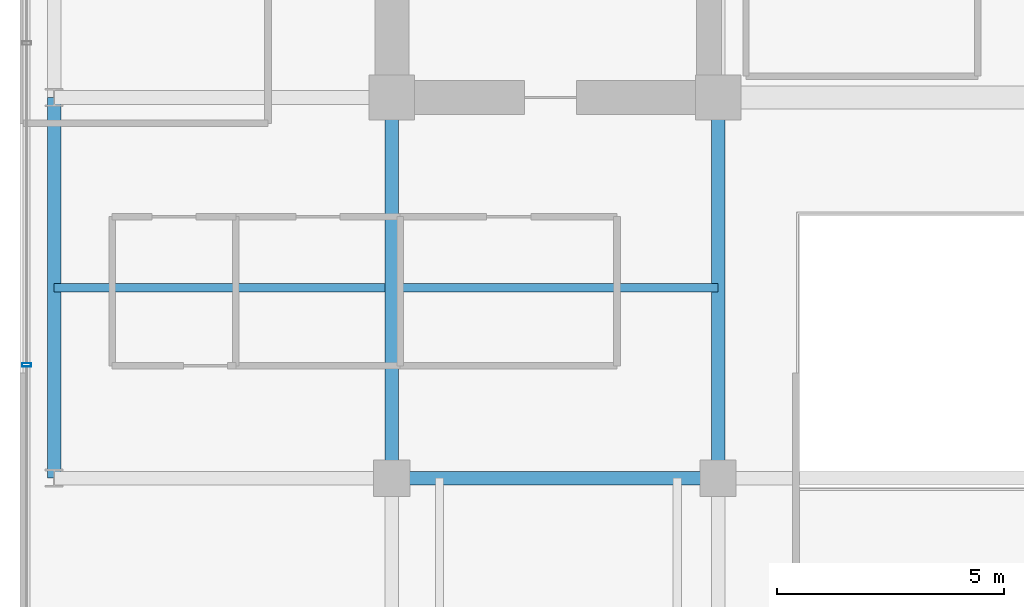
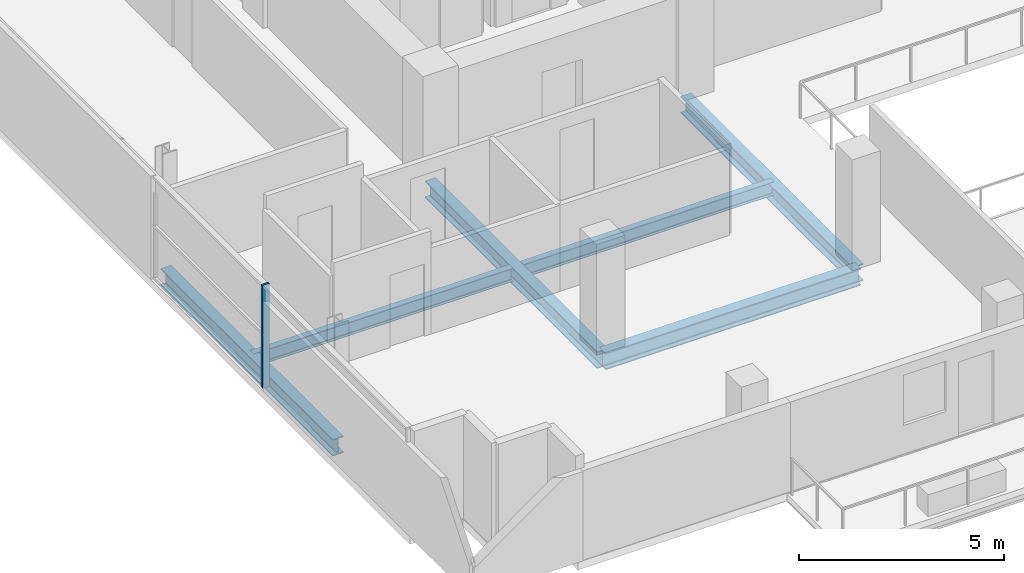
# One storey, part 4 of 21: 6 beams, 1 member, 1 element without a shape of its own.
"""IFC4 building model written with IfcOpenShell, lengths in metres."""

from ifc_helpers import new_model, si_unit, direction, frame, origin, origin_2d, place, context, subcontext, project, spatial, hollow_rectangle, i_section, extrude, source, transform, mapped, material, layer, layer_set, material_profile, profile_set, type_object, element, aggregate, save


model = new_model("IFC4")

# Units and contexts
model_context = context("Model", 3, precision=1e-05, world=origin(), true_north=direction((0.0, 1.0)))
body_context = subcontext(model_context, "Body", "Model", "MODEL_VIEW")
ifc_project = project(units=[si_unit("LENGTHUNIT", "METRE"), si_unit("AREAUNIT", "SQUARE_METRE"), si_unit("VOLUMEUNIT", "CUBIC_METRE"), si_unit("PLANEANGLEUNIT", "RADIAN"), si_unit("MASSUNIT", "GRAM", prefix="KILO")], contexts=[model_context])

# Site, building, storey
site_placement = place(None, origin())
site = spatial("IfcSite", under=ifc_project, at=site_placement, CompositionType="ELEMENT")
building_placement = place(site_placement, origin())
building = spatial("IfcBuilding", under=site, at=building_placement, Name="Zarnakvel Exchange Tower", CompositionType="ELEMENT")
storey_placement = place(building_placement, frame((0.0, 0.0, 182.5)))
storey = spatial("IfcBuildingStorey", under=building, at=storey_placement, Name="L51", CompositionType="ELEMENT", Elevation=182.5)

# Beams
ifc_material_1 = material(Name="Steel S355", Category="steel")
ifc_material_profile_1 = material_profile(ifc_material_1, i_section(OverallWidth=0.179931640625, OverallDepth=0.39990234375, WebThickness=0.008544921875, FlangeThickness=0.013427734375, FilletRadius=0.02099609375, at=origin_2d()))
ifc_profile_set_1 = profile_set([ifc_material_profile_1], Name="Steel S355")
beam_type_1 = type_object("IfcBeamType", Name="B-06", PredefinedType="JOIST", material=ifc_profile_set_1)
beam_1_placement = place(storey_placement, frame((-21.85009765625, -5.39990234375, -0.425048828125), z_axis=(1.0, 0.0, 0.0), x_axis=(0.0, 1.0, 0.0)))
element("IfcBeam", 1, at=beam_1_placement, inside=storey, type_object=beam_type_1, Name="L51 Composite Floor Secondary Joist", PredefinedType="JOIST", context=body_context, shape_type="SweptSolid", body=[
    extrude(i_section(OverallWidth=0.179931640625, OverallDepth=0.39990234375, WebThickness=0.008544921875, FlangeThickness=0.013427734375, FilletRadius=0.02099609375, at=origin_2d()), origin(), (0.0, 0.0, 1.0), 7.300048828125),
])
beam_2_placement = place(storey_placement, frame((-14.25, -5.39990234375, -0.425048828125), z_axis=(1.0, 0.0, 0.0), x_axis=(0.0, 1.0, 0.0)))
element("IfcBeam", 2, at=beam_2_placement, inside=storey, type_object=beam_type_1, Name="L51 Composite Floor Secondary Joist", PredefinedType="JOIST", context=body_context, shape_type="SweptSolid", body=[
    extrude(i_section(OverallWidth=0.179931640625, OverallDepth=0.39990234375, WebThickness=0.008544921875, FlangeThickness=0.013427734375, FilletRadius=0.02099609375, at=origin_2d()), origin(), (0.0, 0.0, 1.0), 7.050048828125),
])
ifc_material_profile_2 = material_profile(ifc_material_1, i_section(OverallWidth=0.300048828125, OverallDepth=0.5, WebThickness=0.014404296875, FlangeThickness=0.028076171875, FilletRadius=0.027099609375, at=origin_2d()))
ifc_profile_set_2 = profile_set([ifc_material_profile_2], Name="Steel S355")
beam_type_2 = type_object("IfcBeamType", Name="G-06", PredefinedType="BEAM", material=ifc_profile_set_2)
beam_3_placement = place(storey_placement, frame((-14.39990234375, -9.60009765625, -0.47509765625), z_axis=(1.0, 0.0, 0.0), x_axis=(0.0, 1.0, 0.0)))
element("IfcBeam", 3, at=beam_3_placement, inside=storey, type_object=beam_type_2, Name="L51 Tower E-W Frame Beam", PredefinedType="BEAM", context=body_context, shape_type="SweptSolid", body=[
    extrude(i_section(OverallWidth=0.300048828125, OverallDepth=0.5, WebThickness=0.014404296875, FlangeThickness=0.028076171875, FilletRadius=0.027099609375, at=origin_2d()), origin(), (0.0, 0.0, 1.0), 7.199951171875),
])
for number, where, z_axis, x_axis, name in (
    (4, (-14.39990234375, -9.60009765625, -0.47509765625), (0.0, 1.0, 0.0), (-1.0, 0.0, 0.0), "L51 Tower N-S Frame Beam"),
    (5, (-7.199951171875, -9.60009765625, -0.47509765625), (0.0, 1.0, 0.0), (-1.0, 0.0, 0.0), "L51 Tower N-S Frame Beam"),
):
    element("IfcBeam", number, at=place(storey_placement, frame(where, z_axis=z_axis, x_axis=x_axis)), inside=storey, type_object=beam_type_2, Name=name, PredefinedType="BEAM", context=body_context, shape_type="SweptSolid", body=[
        extrude(i_section(OverallWidth=0.300048828125, OverallDepth=0.5, WebThickness=0.014404296875, FlangeThickness=0.028076171875, FilletRadius=0.027099609375, at=origin_2d()), origin(), (0.0, 0.0, 1.0), 8.400146484375),
    ])
ifc_material_profile_3 = material_profile(ifc_material_1, i_section(OverallWidth=0.300048828125, OverallDepth=0.5, WebThickness=0.014404296875, FlangeThickness=0.028076171875, FilletRadius=0.027099609375, at=origin_2d()))
ifc_profile_set_3 = profile_set([ifc_material_profile_3], Name="Steel S355")
beam_type_3 = type_object("IfcBeamType", Name="SP-02", PredefinedType="SPANDREL", material=ifc_profile_set_3)
beam_4_placement = place(storey_placement, frame((-21.85009765625, -9.60009765625, -0.47509765625), z_axis=(0.0, 1.0, 0.0), x_axis=(-1.0, 0.0, 0.0)))
element("IfcBeam", 6, at=beam_4_placement, inside=storey, type_object=beam_type_3, Name="L51 Tower N-S Frame Beam", PredefinedType="SPANDREL", context=body_context, shape_type="SweptSolid", body=[
    extrude(i_section(OverallWidth=0.300048828125, OverallDepth=0.5, WebThickness=0.014404296875, FlangeThickness=0.028076171875, FilletRadius=0.027099609375, at=origin_2d()), origin(), (0.0, 0.0, 1.0), 8.400146484375),
])

# Curtain wall, member
ifc_material_2 = material(Name="Architectural Bronze Anodised Aluminium", Category="aluminium")
ifc_layer = layer(ifc_material_2, 0.199951171875)
ifc_layer_set = layer_set([ifc_layer], Name="Architectural Bronze Anodised Aluminium")
curtain_wall_type = type_object("IfcCurtainWallType", Name="CW-04", PredefinedType="NOTDEFINED", material=ifc_layer_set)
curtain_wall_placement = place(storey_placement, origin())
curtain_wall = element("IfcCurtainWall", 7, at=curtain_wall_placement, inside=storey, type_object=curtain_wall_type, Name="L51 Curtain Wall CW-L51-W1 (CW-04)", PredefinedType="NOTDEFINED")
ifc_material_profile_4 = material_profile(ifc_material_2, hollow_rectangle(XDim=0.199951171875, YDim=0.074951171875, WallThickness=0.0048828125, at=origin_2d()))
ifc_profile_set_4 = profile_set([ifc_material_profile_4], Name="Architectural Bronze Anodised Aluminium")
member_type = type_object("IfcMemberType", Name="CWM-04", PredefinedType="MULLION", material=ifc_profile_set_4)
shared_shape = source(origin(), body_context, "Body", "SweptSolid", [
    extrude(hollow_rectangle(XDim=0.199951171875, YDim=0.074951171875, WallThickness=0.0048828125, at=origin_2d()), origin(), (0.0, 0.0, 1.0), 3.054931640625),
])
member_placement = place(storey_placement, frame((-22.4599609375, -7.10009765625, 0.0), z_axis=(0.0, 0.0, 1.0), x_axis=(-1.0, 0.0, 0.0)))
member = element("IfcMember", 8, at=member_placement, type_object=member_type, Name="CW-04 mullion 2", PredefinedType="MULLION", context=body_context, shape_type="MappedRepresentation", body=[
    mapped(shared_shape, transform((0.0, 0.0, 0.0), x_axis=(1.0, 0.0, 0.0), y_axis=(0.0, 1.0, 0.0), z_axis=(0.0, 0.0, 1.0), scale=1.0)),
])
aggregate(curtain_wall, [member])

save(model, "model.ifc")
